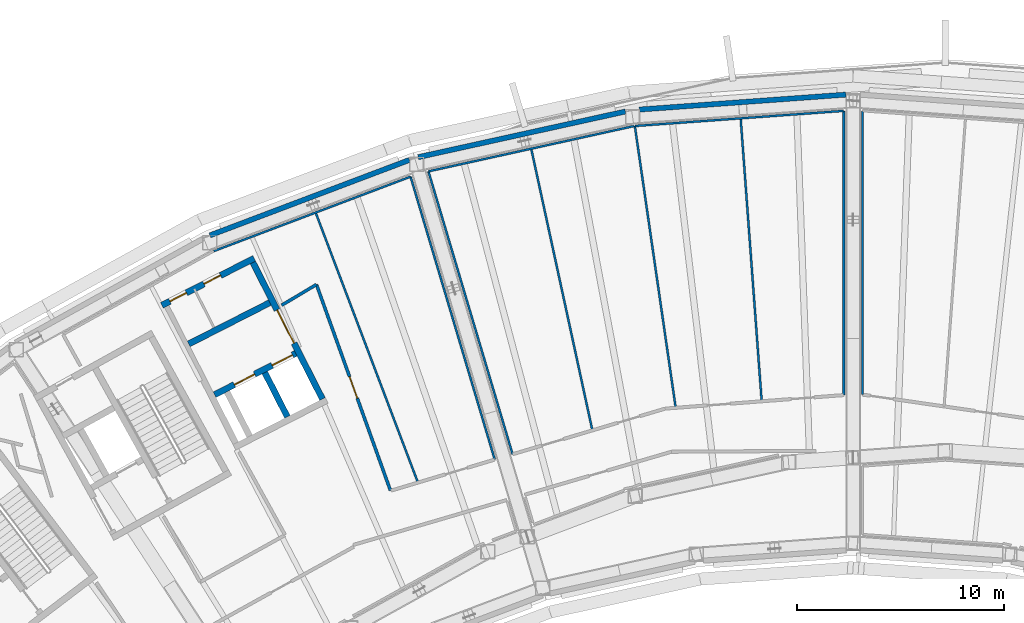
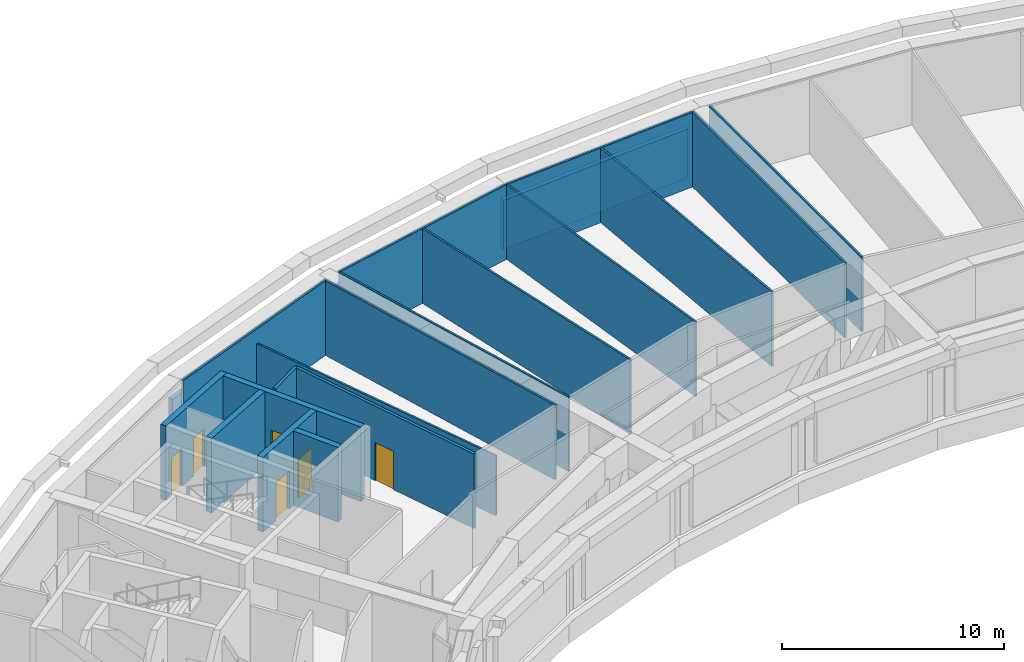
# One storey, part 9 of 25: 21 walls, 6 doors, 6 openings.
"""IFC4 building model written with IfcOpenShell, lengths in metres."""

import ifcopenshell
import ifcopenshell.guid

model = None  # the IFC model being written
_history = None  # IfcOwnerHistory: only IFC2X3 demands one
_inside = {}  # id of a spatial element -> (the spatial element, [elements in it])
_under = {}  # id of a project, library or spatial element -> (it, [spatial elements below it])
_declared = {}  # id of a project -> (the project, [libraries it declares])
_typed = {}  # id of a type object -> (the type object, [elements of that type])
_made_of = {}  # id of a material, layer set ... -> (it, [elements and type objects made of it])


def new_model(schema):
    """Start an empty IFC model of exactly this schema.

    Asked for "IFC4X3", IfcOpenShell would pick the latest addendum, in which some entities
    have other attributes; the version numbers below select the first issue.
    IFC2X3 requires an IfcOwnerHistory on every rooted entity: one is made here for all.
    """
    global model, _history
    if schema == "IFC4X3":
        model = ifcopenshell.file(schema_version=(4, 3, 0, 0))
    else:
        model = ifcopenshell.file(schema=schema)
    _inside.clear()
    _under.clear()
    _declared.clear()
    _typed.clear()
    _made_of.clear()
    _history = None
    if model.schema == "IFC2X3":
        org = make("IfcOrganization", Name="unknown")
        user = make(
            "IfcPersonAndOrganization",
            ThePerson=make("IfcPerson", FamilyName="unknown"),
            TheOrganization=org,
        )
        app = make(
            "IfcApplication",
            ApplicationDeveloper=org,
            Version="unknown",
            ApplicationFullName="unknown",
            ApplicationIdentifier="unknown",
        )
        _history = make(
            "IfcOwnerHistory",
            OwningUser=user,
            OwningApplication=app,
            ChangeAction="ADDED",
            CreationDate=0,
        )
    return model


def make(cls, **values):
    """One entity of the class cls with the attributes given. An attribute that is None is left unset."""
    return model.create_entity(
        cls, **{name: value for name, value in values.items() if value is not None}
    )


def rooted(cls, **values):
    """An entity with a GlobalId (a new one), such as an element, a storey or a relation."""
    return make(cls, GlobalId=ifcopenshell.guid.new(), OwnerHistory=_history, **values)


def si_unit(unit_type, name, prefix=None):
    """IfcSIUnit, for example si_unit("LENGTHUNIT", "METRE", prefix="MILLI")."""
    return make("IfcSIUnit", UnitType=unit_type, Prefix=prefix, Name=name)


def assignment(units):
    """IfcUnitAssignment: the units of a project."""
    return None if units is None else make("IfcUnitAssignment", Units=units)


def point(xyz):
    """IfcCartesianPoint."""
    return None if xyz is None else make("IfcCartesianPoint", Coordinates=xyz)


def direction(xyz):
    """IfcDirection."""
    return None if xyz is None else make("IfcDirection", DirectionRatios=xyz)


def frame(location, z_axis=None, x_axis=None):
    """IfcAxis2Placement3D, a coordinate frame: its origin and axes. An axis left out is left unset."""
    return make(
        "IfcAxis2Placement3D",
        Location=point(location),
        Axis=direction(z_axis),
        RefDirection=direction(x_axis),
    )


def frame_2d(location, x_axis=None):
    """IfcAxis2Placement2D, a coordinate frame in the plane: its origin and x axis."""
    return make(
        "IfcAxis2Placement2D", Location=point(location), RefDirection=direction(x_axis)
    )


def origin():
    """The frame at (0, 0, 0) with its axes left unset."""
    return frame((0.0, 0.0, 0.0))


def place(relative_to, where):
    """IfcLocalPlacement: puts the frame where relative to a parent placement (None: the world)."""
    return make(
        "IfcLocalPlacement", PlacementRelTo=relative_to, RelativePlacement=where
    )


def context(
    kind, dimensions, precision=None, world=None, true_north=None, identifier=None
):
    """IfcGeometricRepresentationContext, for example the 3D "Model" context."""
    return make(
        "IfcGeometricRepresentationContext",
        ContextIdentifier=identifier,
        ContextType=kind,
        CoordinateSpaceDimension=dimensions,
        Precision=precision,
        WorldCoordinateSystem=world,
        TrueNorth=true_north,
    )


def subcontext(parent, identifier, kind, view, scale=None):
    """IfcGeometricRepresentationSubContext, for example "Body" below "Model"."""
    return make(
        "IfcGeometricRepresentationSubContext",
        ContextIdentifier=identifier,
        ContextType=kind,
        ParentContext=parent,
        TargetScale=scale,
        TargetView=view,
    )


def project(units=None, contexts=None):
    """IfcProject with its units and contexts."""
    return rooted(
        "IfcProject",
        Name="project",
        RepresentationContexts=contexts,
        UnitsInContext=assignment(units),
    )


def spatial(cls, under=None, at=None, **own):
    """A site, building, storey or space (cls), placed at a placement, below another one or the project."""
    s = rooted(cls, ObjectPlacement=at, **own)
    if under is not None:
        _under.setdefault(under.id(), (under, []))[1].append(s)
    return s


def profile(cls, at=None, kind="AREA", **sizes):
    """A parametric profile (cls). Its sizes go by their IFC names, for example OverallWidth=200.0."""
    return make(cls, ProfileType=kind, Position=at, **sizes)


def rectangle(**sizes):
    """IfcRectangleProfileDef."""
    return profile("IfcRectangleProfileDef", **sizes)


def extrude(swept, where, along, depth):
    """IfcExtrudedAreaSolid: the profile swept, set in the frame where, extruded along a direction by depth."""
    return make(
        "IfcExtrudedAreaSolid",
        SweptArea=swept,
        Position=where,
        ExtrudedDirection=direction(along),
        Depth=depth,
    )


def shape(context_of_items, identifier, shape_type, items):
    """IfcShapeRepresentation: the items that make up one representation, for example the "Body"."""
    return make(
        "IfcShapeRepresentation",
        ContextOfItems=context_of_items,
        RepresentationIdentifier=identifier,
        RepresentationType=shape_type,
        Items=items,
    )


def material(Name=None, Category=None):
    """IfcMaterial."""
    return make("IfcMaterial", Name=Name, Category=Category)


def layer(
    of_material, thickness, ventilated=None, Name=None, Category=None, Priority=None
):
    """IfcMaterialLayer: one layer of a wall or slab, of a material (None: an air gap)."""
    return make(
        "IfcMaterialLayer",
        Material=of_material,
        LayerThickness=thickness,
        IsVentilated=ventilated,
        Name=Name,
        Category=Category,
        Priority=Priority,
    )


def layer_set(layers, Name=None):
    """IfcMaterialLayerSet."""
    return make("IfcMaterialLayerSet", MaterialLayers=layers, LayerSetName=Name)


def made_of(thing, what):
    """Note that an element or type object is made of a material, layer set ...; save() writes the relation."""
    if what is not None:
        _made_of.setdefault(what.id(), (what, []))[1].append(thing)
    return thing


def type_object(cls, material=None, **own):
    """A type object (cls), such as IfcWallType, which elements share."""
    return made_of(rooted(cls, **own), material)


def element(
    cls,
    number,
    at=None,
    inside=None,
    cuts=None,
    type_object=None,
    material=None,
    context=None,
    identifier="Body",
    shape_type=None,
    held_by="IfcProductDefinitionShape",
    body=None,
    shapes=None,
    **own,
):
    """One element of the class cls, such as IfcWall. Its Tag is "e" and its number.

    at: its placement. inside: the storey or other place that contains it. cuts: it is an
    opening in that element (IfcRelVoidsElement). A single representation is given by context,
    identifier, shape_type and body (its items); several are given by shapes. held_by: the class
    of the entity that holds the representations. save() writes the other relations.
    """
    e = rooted(cls, Tag="e%d" % number, ObjectPlacement=at, **own)
    if body is not None:
        shapes = [shape(context, identifier, shape_type, body)]
    if shapes is not None:
        e.Representation = make(held_by, Representations=shapes)
    if inside is not None:
        _inside.setdefault(inside.id(), (inside, []))[1].append(e)
    if cuts is not None:
        rooted(
            "IfcRelVoidsElement", RelatingBuildingElement=cuts, RelatedOpeningElement=e
        )
    if type_object is not None:
        _typed.setdefault(type_object.id(), (type_object, []))[1].append(e)
    return made_of(e, material)


def fill(opening, filler):
    """IfcRelFillsElement: the door or window that sits in an opening."""
    return rooted(
        "IfcRelFillsElement",
        RelatingOpeningElement=opening,
        RelatedBuildingElement=filler,
    )


def aggregate(whole, parts):
    """IfcRelAggregates: a whole, such as a stair, and the parts it consists of."""
    return rooted("IfcRelAggregates", RelatingObject=whole, RelatedObjects=parts)


def save(model, path):
    """Write the relations noted so far, then the file.

    IfcRelAggregates (storeys below a building ...), IfcRelContainedInSpatialStructure (elements
    in a storey), IfcRelDefinesByType, IfcRelAssociatesMaterial and IfcRelDeclares: one each for
    every whole, place, type object, material and project.
    """
    for whole, parts in _under.values():
        aggregate(whole, parts)
    for where, things in _inside.values():
        rooted(
            "IfcRelContainedInSpatialStructure",
            RelatedElements=things,
            RelatingStructure=where,
        )
    for kind, things in _typed.values():
        rooted("IfcRelDefinesByType", RelatedObjects=things, RelatingType=kind)
    for what, things in _made_of.values():
        rooted("IfcRelAssociatesMaterial", RelatedObjects=things, RelatingMaterial=what)
    for by, libraries in _declared.values():
        rooted("IfcRelDeclares", RelatingContext=by, RelatedDefinitions=libraries)
    model.write(path)


model = new_model("IFC4")

# Units and contexts
model_context = context("Model", 3, precision=1e-05, world=origin(), true_north=direction((0.0, 1.0)))
body_context = subcontext(model_context, "Body", "Model", "MODEL_VIEW")
ifc_project = project(units=[si_unit("LENGTHUNIT", "METRE"), si_unit("AREAUNIT", "SQUARE_METRE"), si_unit("VOLUMEUNIT", "CUBIC_METRE"), si_unit("PLANEANGLEUNIT", "RADIAN"), si_unit("MASSUNIT", "GRAM", prefix="KILO")], contexts=[model_context])

# Site, building, storey
site_placement = place(None, origin())
site = spatial("IfcSite", under=ifc_project, at=site_placement, CompositionType="ELEMENT")
building_placement = place(site_placement, origin())
building = spatial("IfcBuilding", under=site, at=building_placement, Name="Tuul Gate Civic Tower", CompositionType="ELEMENT")
storey_placement = place(building_placement, frame((0.0, 0.0, 133.699951171875)))
storey = spatial("IfcBuildingStorey", under=building, at=storey_placement, Name="Plant and refuge floor 4", CompositionType="ELEMENT", Elevation=133.699951171875)

# Wall, opening, door
ifc_material_1 = material(Name="Gypsum board partition")
ifc_layer_1 = layer(ifc_material_1, 0.14990234375)
ifc_layer_set_1 = layer_set([ifc_layer_1], Name="Gypsum board partition")
wall_type_1 = type_object("IfcWallType", Name="Corridor wall P150", PredefinedType="PARTITIONING", material=ifc_layer_set_1)
wall_1_placement = place(storey_placement, frame((-20.539306640625, 0.3603515625, 0.0), z_axis=(0.0, 0.0, 1.0), x_axis=(0.338000730142, -0.941145847583, 0.0)))
wall_1 = element("IfcWall", 1, at=wall_1_placement, inside=storey, type_object=wall_type_1, Name="p048", PredefinedType="PARTITIONING", context=body_context, shape_type="SweptSolid", body=[
    extrude(rectangle(XDim=10.562255859375, YDim=0.14990234375, at=frame_2d((5.28125, 0.0))), origin(), (0.0, 0.0, 1.0), 4.10009765625),
])
opening_1_placement = place(wall_1_placement, frame((4.731201171875, 0.0, 0.0)))
opening_1 = element("IfcOpeningElement", 2, at=opening_1_placement, cuts=wall_1, Name="Opening PB-D20", PredefinedType="OPENING", context=body_context, shape_type="SweptSolid", body=[
    extrude(rectangle(XDim=1.10009765625, YDim=2.10009765625, at=frame_2d((0.550048828125, 1.050048828125))), frame((0.0, 0.0849609375, 0.0), z_axis=(0.0, -1.0, 0.0), x_axis=(1.0, 0.0, 0.0)), (0.0, 0.0, 1.0), 0.169921875),
])
ifc_material_2 = material(Name="Timber door leaf", Category="wood")
door_type_1 = type_object("IfcDoorType", Name="Door D11", OperationType="NOTDEFINED", PredefinedType="DOOR", material=ifc_material_2)
door_1_placement = place(opening_1_placement, origin())
door_1 = element("IfcDoor", 3, at=door_1_placement, inside=storey, type_object=door_type_1, Name="Door PB-D20", OperationType="SINGLE_SWING_RIGHT", OverallHeight=2.10009765625, OverallWidth=1.10009765625, PredefinedType="DOOR", context=body_context, shape_type="SweptSolid", body=[
    extrude(rectangle(XDim=1.10009765625, YDim=2.10009765625, at=frame_2d((0.550048828125, 1.050048828125))), frame((0.0, 0.02490234375, 0.0), z_axis=(0.0, -1.0, 0.0), x_axis=(1.0, 0.0, 0.0)), (0.0, 0.0, 1.0), 0.050048828125),
])
fill(opening_1, door_1)

# Walls
wall_2_placement = place(storey_placement, frame((-22.2197265625, -0.6396484375, 0.0), z_axis=(0.0, 0.0, 1.0), x_axis=(0.859108553946, 0.511793408064, 0.0)))
element("IfcWall", 4, at=wall_2_placement, inside=storey, type_object=wall_type_1, Name="p049", PredefinedType="PARTITIONING", context=body_context, shape_type="SweptSolid", body=[
    extrude(rectangle(XDim=1.954833984375, YDim=0.14990234375, at=frame_2d((0.9775390625, 0.0))), origin(), (0.0, 0.0, 1.0), 4.10009765625),
])
ifc_material_3 = material(Name="Precast concrete C40/50", Category="concrete")
ifc_layer_2 = layer(ifc_material_3, 0.25)
ifc_layer_set_2 = layer_set([ifc_layer_2], Name="Precast concrete C40/50")
wall_type_2 = type_object("IfcWallType", Name="External wall 2700 HIGH", PredefinedType="STANDARD", material=ifc_layer_set_2)
wall_3_placement = place(storey_placement, frame((5.02392578125, 9.5322265625, 0.0), z_axis=(0.0, 0.0, 1.0), x_axis=(-0.997388442389, -0.072223922558, 0.0)))
element("IfcWall", 5, at=wall_3_placement, inside=storey, type_object=wall_type_2, Name="External wall", PredefinedType="STANDARD", context=body_context, shape_type="SweptSolid", body=[
    extrude(rectangle(XDim=9.9990234375, YDim=0.25, at=frame_2d((4.99951171875, 0.0))), origin(), (0.0, 0.0, 1.0), 2.699951171875),
])
wall_4_placement = place(storey_placement, frame((-5.625, 8.71630859375, 0.0), z_axis=(0.0, 0.0, 1.0), x_axis=(-0.976563060816, -0.215231475971, 0.0)))
element("IfcWall", 6, at=wall_4_placement, inside=storey, type_object=wall_type_2, Name="External wall", PredefinedType="STANDARD", context=body_context, shape_type="SweptSolid", body=[
    extrude(rectangle(XDim=10.24169921875, YDim=0.25, at=frame_2d((5.120849609375, 0.0))), origin(), (0.0, 0.0, 1.0), 2.699951171875),
])
wall_5_placement = place(storey_placement, frame((-16.052978515625, 6.37744140625, 0.0), z_axis=(0.0, 0.0, 1.0), x_axis=(-0.935349236312, -0.353725608531, 0.0)))
element("IfcWall", 7, at=wall_5_placement, inside=storey, type_object=wall_type_2, Name="External wall", PredefinedType="STANDARD", context=body_context, shape_type="SweptSolid", body=[
    extrude(rectangle(XDim=10.297119140625, YDim=0.25, at=frame_2d((5.1484375, 0.0))), origin(), (0.0, 0.0, 1.0), 2.699951171875),
])

# Wall, openings, doors
ifc_material_4 = material(Name="Concrete C40/50", Category="concrete")
ifc_layer_3 = layer(ifc_material_4, 0.300048828125)
ifc_layer_set_3 = layer_set([ifc_layer_3], Name="Concrete C40/50")
wall_type_3 = type_object("IfcWallType", Name="Lift shaft wall C40/50", PredefinedType="STANDARD", material=ifc_layer_set_3)
wall_6_placement = place(storey_placement, frame((-21.542236328125, -2.962890625, 0.0), z_axis=(0.0, 0.0, 1.0), x_axis=(-0.891005618941, -0.453992276384, 0.0)))
wall_6 = element("IfcWall", 8, at=wall_6_placement, inside=storey, type_object=wall_type_3, Name="Shaft wall", PredefinedType="STANDARD", context=body_context, shape_type="SweptSolid", body=[
    extrude(rectangle(XDim=4.39990234375, YDim=0.300048828125, at=frame_2d((2.199951171875, 0.0))), origin(), (0.0, 0.0, 1.0), 4.10009765625),
])
opening_2_placement = place(wall_6_placement, frame((0.175048828125, 0.0, 0.0)))
opening_2 = element("IfcOpeningElement", 9, at=opening_2_placement, cuts=wall_6, Name="Opening LD-M1", PredefinedType="OPENING", context=body_context, shape_type="SweptSolid", body=[
    extrude(rectangle(XDim=1.10009765625, YDim=2.10009765625, at=frame_2d((0.550048828125, 1.050048828125))), frame((0.0, 0.16015625, 0.0), z_axis=(0.0, -1.0, 0.0), x_axis=(1.0, 0.0, 0.0)), (0.0, 0.0, 1.0), 0.320068359375),
])
opening_3_placement = place(wall_6_placement, frame((2.22509765625, 0.0, 0.0)))
opening_3 = element("IfcOpeningElement", 10, at=opening_3_placement, cuts=wall_6, Name="Opening LD-M2", PredefinedType="OPENING", context=body_context, shape_type="SweptSolid", body=[
    extrude(rectangle(XDim=1.10009765625, YDim=2.10009765625, at=frame_2d((0.550048828125, 1.050048828125))), frame((0.0, 0.16015625, 0.0), z_axis=(0.0, -1.0, 0.0), x_axis=(1.0, 0.0, 0.0)), (0.0, 0.0, 1.0), 0.320068359375),
])
ifc_material_5 = material(Name="Stainless steel", Category="steel")
door_type_2 = type_object("IfcDoorType", Name="Landing door", OperationType="DOUBLE_DOOR_SLIDING", PredefinedType="DOOR", material=ifc_material_5)
door_2_placement = place(opening_2_placement, origin())
door_2 = element("IfcDoor", 11, at=door_2_placement, inside=storey, type_object=door_type_2, Name="Mid-rise lift M1 landing door", OperationType="DOUBLE_DOOR_SLIDING", OverallHeight=2.10009765625, OverallWidth=1.10009765625, PredefinedType="DOOR", context=body_context, shape_type="SweptSolid", body=[
    extrude(rectangle(XDim=1.10009765625, YDim=2.10009765625, at=frame_2d((0.550048828125, 1.050048828125))), frame((0.0, 0.02490234375, 0.0), z_axis=(0.0, -1.0, 0.0), x_axis=(1.0, 0.0, 0.0)), (0.0, 0.0, 1.0), 0.050048828125),
])
fill(opening_2, door_2)
door_3_placement = place(opening_3_placement, origin())
door_3 = element("IfcDoor", 12, at=door_3_placement, inside=storey, type_object=door_type_2, Name="Mid-rise lift M2 landing door", OperationType="DOUBLE_DOOR_SLIDING", OverallHeight=2.10009765625, OverallWidth=1.10009765625, PredefinedType="DOOR", context=body_context, shape_type="SweptSolid", body=[
    extrude(rectangle(XDim=1.10009765625, YDim=2.10009765625, at=frame_2d((0.550048828125, 1.050048828125))), frame((0.0, 0.02490234375, 0.0), z_axis=(0.0, -1.0, 0.0), x_axis=(1.0, 0.0, 0.0)), (0.0, 0.0, 1.0), 0.050048828125),
])
fill(opening_3, door_3)

# Wall
wall_7_placement = place(storey_placement, frame((-22.790771484375, -0.5126953125, 0.0), z_axis=(0.0, 0.0, 1.0), x_axis=(-0.891005618941, -0.453992276384, 0.0)))
element("IfcWall", 13, at=wall_7_placement, inside=storey, type_object=wall_type_3, Name="Shaft wall", PredefinedType="STANDARD", context=body_context, shape_type="SweptSolid", body=[
    extrude(rectangle(XDim=4.39990234375, YDim=0.300048828125, at=frame_2d((2.199951171875, 0.0))), origin(), (0.0, 0.0, 1.0), 4.10009765625),
])

# Wall, openings, doors
wall_8_placement = place(storey_placement, frame((-23.544921875, 1.62841796875, 0.0), z_axis=(0.0, 0.0, 1.0), x_axis=(-0.891002976909, -0.453997461601, 0.0)))
wall_8 = element("IfcWall", 14, at=wall_8_placement, inside=storey, type_object=wall_type_3, Name="Shaft wall", PredefinedType="STANDARD", context=body_context, shape_type="SweptSolid", body=[
    extrude(rectangle(XDim=5.0, YDim=0.300048828125, at=frame_2d((2.5, 0.0))), origin(), (0.0, 0.0, 1.0), 4.10009765625),
])
opening_4_placement = place(wall_8_placement, frame((1.824951171875, 0.0, 0.0)))
opening_4 = element("IfcOpeningElement", 15, at=opening_4_placement, cuts=wall_8, Name="Opening PB-D32", PredefinedType="OPENING", context=body_context, shape_type="SweptSolid", body=[
    extrude(rectangle(XDim=0.89990234375, YDim=2.10009765625, at=frame_2d((0.449951171875, 1.050048828125))), frame((0.0, 0.16015625, 0.0), z_axis=(0.0, -1.0, 0.0), x_axis=(1.0, 0.0, 0.0)), (0.0, 0.0, 1.0), 0.320068359375),
])
opening_5_placement = place(wall_8_placement, frame((3.675048828125, 0.0, 0.0)))
opening_5 = element("IfcOpeningElement", 16, at=opening_5_placement, cuts=wall_8, Name="Opening PB-D33", PredefinedType="OPENING", context=body_context, shape_type="SweptSolid", body=[
    extrude(rectangle(XDim=0.89990234375, YDim=2.10009765625, at=frame_2d((0.449951171875, 1.050048828125))), frame((0.0, 0.16015625, 0.0), z_axis=(0.0, -1.0, 0.0), x_axis=(1.0, 0.0, 0.0)), (0.0, 0.0, 1.0), 0.320068359375),
])
ifc_material_6 = material(Name="Timber door leaf", Category="wood")
door_type_3 = type_object("IfcDoorType", Name="Door D09", OperationType="NOTDEFINED", PredefinedType="DOOR", material=ifc_material_6)
door_4_placement = place(opening_4_placement, origin())
door_4 = element("IfcDoor", 17, at=door_4_placement, inside=storey, type_object=door_type_3, Name="Door PB-D32", OperationType="SINGLE_SWING_RIGHT", OverallHeight=2.10009765625, OverallWidth=0.89990234375, PredefinedType="DOOR", context=body_context, shape_type="SweptSolid", body=[
    extrude(rectangle(XDim=0.89990234375, YDim=2.10009765625, at=frame_2d((0.449951171875, 1.050048828125))), frame((0.0, 0.02490234375, 0.0), z_axis=(0.0, -1.0, 0.0), x_axis=(1.0, 0.0, 0.0)), (0.0, 0.0, 1.0), 0.050048828125),
])
fill(opening_4, door_4)
door_5_placement = place(opening_5_placement, origin())
door_5 = element("IfcDoor", 18, at=door_5_placement, inside=storey, type_object=door_type_3, Name="Door PB-D33", OperationType="SINGLE_SWING_LEFT", OverallHeight=2.10009765625, OverallWidth=0.89990234375, PredefinedType="DOOR", context=body_context, shape_type="SweptSolid", body=[
    extrude(rectangle(XDim=0.89990234375, YDim=2.10009765625, at=frame_2d((0.449951171875, 1.050048828125))), frame((0.0, 0.02490234375, 0.0), z_axis=(0.0, -1.0, 0.0), x_axis=(1.0, 0.0, 0.0)), (0.0, 0.0, 1.0), 0.050048828125),
])
fill(opening_5, door_5)

# Wall, opening, door
wall_9_placement = place(storey_placement, frame((-20.2509765625, -5.166748046875, 0.0), z_axis=(0.0, 0.0, 1.0), x_axis=(-0.45401029361, 0.89099643843, 0.0)))
wall_9 = element("IfcWall", 19, at=wall_9_placement, inside=storey, type_object=wall_type_3, Name="Shaft wall", PredefinedType="STANDARD", context=body_context, shape_type="SweptSolid", body=[
    extrude(rectangle(XDim=7.39990234375, YDim=0.300048828125, at=frame_2d((3.699951171875, 0.0))), origin(), (0.0, 0.0, 1.0), 4.10009765625),
])
opening_6_placement = place(wall_9_placement, frame((3.02490234375, 0.0, 0.0)))
opening_6 = element("IfcOpeningElement", 20, at=opening_6_placement, cuts=wall_9, Name="Opening LB-W3-LOBBY-1", PredefinedType="OPENING", context=body_context, shape_type="SweptSolid", body=[
    extrude(rectangle(XDim=1.800048828125, YDim=2.10009765625, at=frame_2d((0.89990234375, 1.050048828125))), frame((0.0, 0.16015625, 0.0), z_axis=(0.0, -1.0, 0.0), x_axis=(1.0, 0.0, 0.0)), (0.0, 0.0, 1.0), 0.320068359375),
])
ifc_material_7 = material(Name="Steel", Category="steel")
door_type_4 = type_object("IfcDoorType", Name="Lobby door", OperationType="DOUBLE_DOOR_SINGLE_SWING", PredefinedType="DOOR", material=ifc_material_7)
door_6_placement = place(opening_6_placement, origin())
door_6 = element("IfcDoor", 21, at=door_6_placement, inside=storey, type_object=door_type_4, Name="Lobby door W3-LOBBY", OperationType="DOUBLE_DOOR_SINGLE_SWING", OverallHeight=2.10009765625, OverallWidth=1.800048828125, PredefinedType="DOOR", context=body_context, shape_type="SweptSolid", body=[
    extrude(rectangle(XDim=1.800048828125, YDim=2.10009765625, at=frame_2d((0.89990234375, 1.050048828125))), frame((0.0, 0.02490234375, 0.0), z_axis=(0.0, -1.0, 0.0), x_axis=(1.0, 0.0, 0.0)), (0.0, 0.0, 1.0), 0.050048828125),
])
fill(opening_6, door_6)

# Walls
wall_10_placement = place(storey_placement, frame((-21.94384765625, -6.029296875, 0.0), z_axis=(0.0, 0.0, 1.0), x_axis=(-0.45403702923, 0.890982814698, 0.0)))
element("IfcWall", 22, at=wall_10_placement, inside=storey, type_object=wall_type_3, Name="Shaft wall", PredefinedType="STANDARD", context=body_context, shape_type="SweptSolid", body=[
    extrude(rectangle(XDim=2.39990234375, YDim=0.300048828125, at=frame_2d((1.199951171875, 0.0))), origin(), (0.0, 0.0, 1.0), 4.10009765625),
])
ifc_material_8 = material(Name="Gypsum board partition")
ifc_layer_4 = layer(ifc_material_8, 0.10009765625)
ifc_layer_set_4 = layer_set([ifc_layer_4], Name="Gypsum board partition")
wall_type_4 = type_object("IfcWallType", Name="Partition P100", PredefinedType="PARTITIONING", material=ifc_layer_set_4)
wall_11_placement = place(storey_placement, frame((-0.054931640625, 8.38720703125, 0.0), z_axis=(0.0, 0.0, 1.0), x_axis=(0.074119763533, -0.997249347282, 0.0)))
element("IfcWall", 23, at=wall_11_placement, inside=storey, type_object=wall_type_4, Name="p041", PredefinedType="PARTITIONING", context=body_context, shape_type="SweptSolid", body=[
    extrude(rectangle(XDim=13.702392578125, YDim=0.10009765625, at=frame_2d((6.85107421875, 0.0))), origin(), (0.0, 0.0, 1.0), 4.10009765625),
])
wall_12_placement = place(storey_placement, frame((-5.16455078125, 8.016845703125, 0.0), z_axis=(0.0, 0.0, 1.0), x_axis=(0.14348653009, -0.989652270084, 0.0)))
element("IfcWall", 24, at=wall_12_placement, inside=storey, type_object=wall_type_4, Name="p043", PredefinedType="PARTITIONING", context=body_context, shape_type="SweptSolid", body=[
    extrude(rectangle(XDim=13.75146484375, YDim=0.10009765625, at=frame_2d((6.875732421875, 0.0))), origin(), (0.0, 0.0, 1.0), 4.10009765625),
])
wall_13_placement = place(storey_placement, frame((-10.169189453125, 6.920654296875, 0.0), z_axis=(0.0, 0.0, 1.0), x_axis=(0.212181343565, -0.977230309315, 0.0)))
element("IfcWall", 25, at=wall_13_placement, inside=storey, type_object=wall_type_4, Name="p044", PredefinedType="PARTITIONING", context=body_context, shape_type="SweptSolid", body=[
    extrude(rectangle(XDim=13.920166015625, YDim=0.10009765625, at=frame_2d((6.9599609375, 0.0))), origin(), (0.0, 0.0, 1.0), 4.10009765625),
])
wall_14_placement = place(storey_placement, frame((5.823974609375, -4.952392578125, 0.0), z_axis=(0.0, 0.0, 1.0), x_axis=(0.0, 1.0, 0.0)))
element("IfcWall", 26, at=wall_14_placement, inside=storey, type_object=wall_type_4, Name="p091", PredefinedType="PARTITIONING", context=body_context, shape_type="SweptSolid", body=[
    extrude(rectangle(XDim=13.70068359375, YDim=0.10009765625, at=frame_2d((6.850341796875, 0.0))), origin(), (0.0, 0.0, 1.0), 4.10009765625),
])
wall_15_placement = place(storey_placement, frame((-5.16455078125, 8.016845703125, 0.0), z_axis=(0.0, 0.0, 1.0), x_axis=(0.997382046776, 0.072312189631, 0.0)))
element("IfcWall", 27, at=wall_15_placement, inside=storey, type_object=wall_type_4, Name="p100", PredefinedType="PARTITIONING", context=body_context, shape_type="SweptSolid", body=[
    extrude(rectangle(XDim=10.114990234375, YDim=0.10009765625, at=frame_2d((5.0576171875, 0.0))), origin(), (0.0, 0.0, 1.0), 4.10009765625),
])
wall_16_placement = place(storey_placement, frame((4.924072265625, 8.748291015625, 0.0), z_axis=(0.0, 0.0, 1.0), x_axis=(0.0, -1.0, 0.0)))
element("IfcWall", 28, at=wall_16_placement, inside=storey, type_object=wall_type_4, Name="p101", PredefinedType="PARTITIONING", context=body_context, shape_type="SweptSolid", body=[
    extrude(rectangle(XDim=13.7255859375, YDim=0.10009765625, at=frame_2d((6.86279296875, 0.0))), origin(), (0.0, 0.0, 1.0), 4.10009765625),
])
wall_17_placement = place(storey_placement, frame((-15.1337890625, 5.82666015625, 0.0), z_axis=(0.0, 0.0, 1.0), x_axis=(0.97657161125, 0.215192676687, 0.0)))
element("IfcWall", 29, at=wall_17_placement, inside=storey, type_object=wall_type_4, Name="p103", PredefinedType="PARTITIONING", context=body_context, shape_type="SweptSolid", body=[
    extrude(rectangle(XDim=10.161865234375, YDim=0.10009765625, at=frame_2d((5.0810546875, 0.0))), origin(), (0.0, 0.0, 1.0), 4.10009765625),
])
wall_18_placement = place(storey_placement, frame((-11.068359375, -7.83544921875, 0.0), z_axis=(0.0, 0.0, 1.0), x_axis=(-0.28521013865, 0.958465010739, 0.0)))
element("IfcWall", 30, at=wall_18_placement, inside=storey, type_object=wall_type_4, Name="p104", PredefinedType="PARTITIONING", context=body_context, shape_type="SweptSolid", body=[
    extrude(rectangle(XDim=14.254150390625, YDim=0.10009765625, at=frame_2d((7.126953125, 0.0))), origin(), (0.0, 0.0, 1.0), 4.10009765625),
])
wall_19_placement = place(storey_placement, frame((-25.500244140625, 1.9755859375, 0.0), z_axis=(0.0, 0.0, 1.0), x_axis=(0.93533804833, 0.353755191265, 0.0)))
element("IfcWall", 31, at=wall_19_placement, inside=storey, type_object=wall_type_4, Name="p106", PredefinedType="PARTITIONING", context=body_context, shape_type="SweptSolid", body=[
    extrude(rectangle(XDim=10.160888671875, YDim=0.10009765625, at=frame_2d((5.08056640625, 0.0))), origin(), (0.0, 0.0, 1.0), 4.10009765625),
])
wall_20_placement = place(storey_placement, frame((-15.996337890625, 5.570068359375, 0.0), z_axis=(0.0, 0.0, 1.0), x_axis=(0.285213514606, -0.958464006151, 0.0)))
element("IfcWall", 32, at=wall_20_placement, inside=storey, type_object=wall_type_4, Name="p107", PredefinedType="PARTITIONING", context=body_context, shape_type="SweptSolid", body=[
    extrude(rectangle(XDim=14.255615234375, YDim=0.10009765625, at=frame_2d((7.1279296875, 0.0))), origin(), (0.0, 0.0, 1.0), 4.10009765625),
])
ifc_material_9 = material(Name="Gypsum board partition")
ifc_layer_5 = layer(ifc_material_9, 0.10009765625)
ifc_layer_set_5 = layer_set([ifc_layer_5], Name="Gypsum board partition")
wall_type_5 = type_object("IfcWallType", Name="Partition P100 3300 HIGH", PredefinedType="PARTITIONING", material=ifc_layer_set_5)
wall_21_placement = place(storey_placement, frame((-20.57958984375, 3.836669921875, 0.0), z_axis=(0.0, 0.0, 1.0), x_axis=(0.354281580096, -0.93513879291, 0.0)))
element("IfcWall", 33, at=wall_21_placement, inside=storey, type_object=wall_type_5, Name="p047", PredefinedType="PARTITIONING", context=body_context, shape_type="SweptSolid", body=[
    extrude(rectangle(XDim=13.9443359375, YDim=0.10009765625, at=frame_2d((6.97216796875, 0.0))), origin(), (0.0, 0.0, 1.0), 3.300048828125),
])

save(model, "model.ifc")
